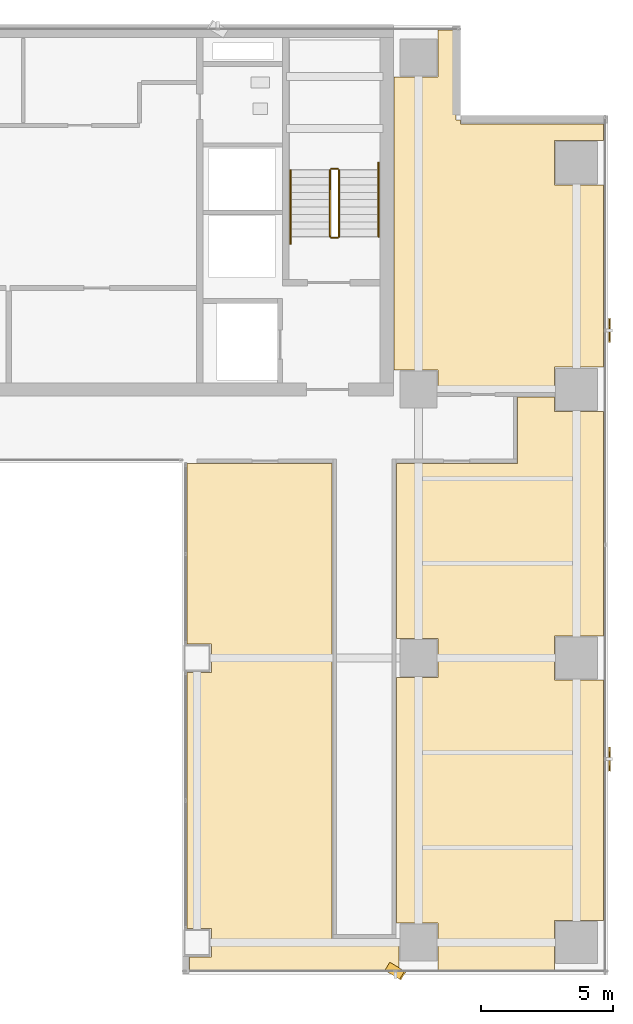
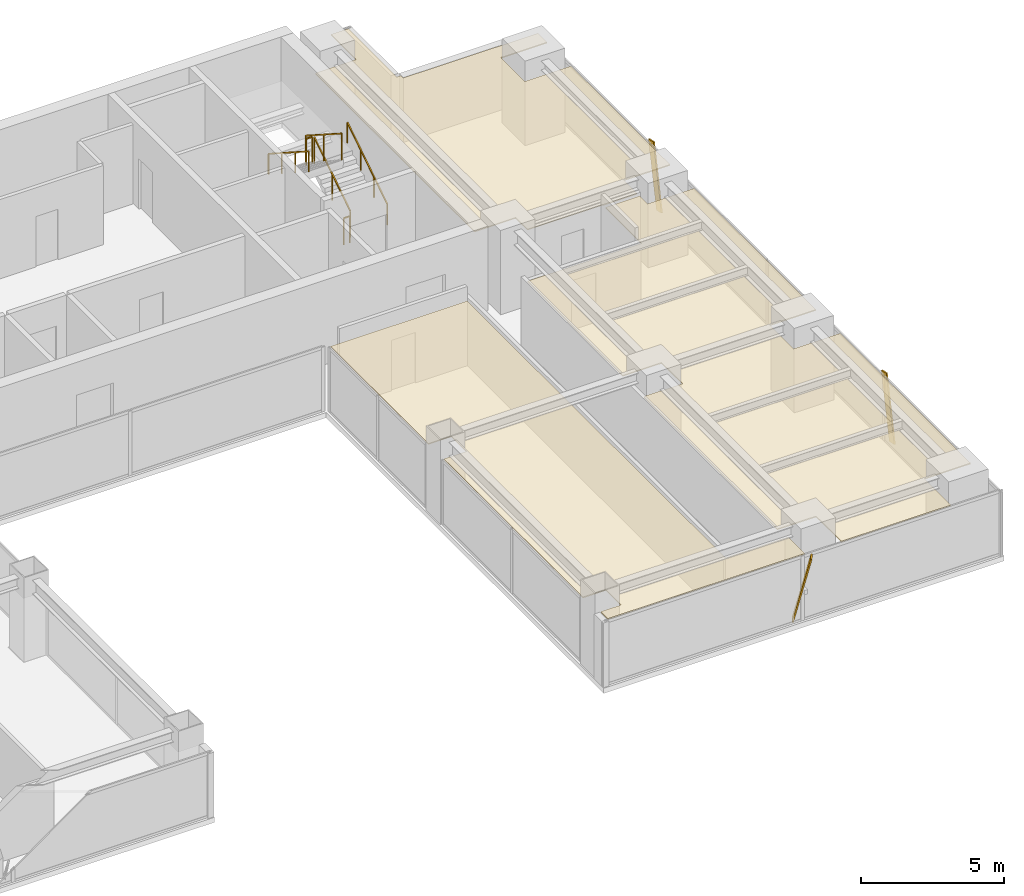
# One storey, part 27 of 29: 6 railings, 3 coverings, 3 shading devices.
"""IFC4 building model written with IfcOpenShell, lengths in metres."""

from ifc_helpers import new_model, si_unit, direction, frame, origin, origin_2d, place, context, subcontext, project, spatial, polyline, rectangle, outline, extrude, source, transform, mapped, material, layer, layer_set, material_profile, profile_set, type_object, element, save


model = new_model("IFC4")

# Units and contexts
model_context = context("Model", 3, precision=1e-05, world=origin(), true_north=direction((0.0, 1.0)))
body_context = subcontext(model_context, "Body", "Model", "MODEL_VIEW")
ifc_project = project(units=[si_unit("LENGTHUNIT", "METRE"), si_unit("AREAUNIT", "SQUARE_METRE"), si_unit("VOLUMEUNIT", "CUBIC_METRE"), si_unit("PLANEANGLEUNIT", "RADIAN"), si_unit("MASSUNIT", "GRAM", prefix="KILO")], contexts=[model_context])

# Site, building, storey
site_placement = place(None, origin())
site = spatial("IfcSite", under=ifc_project, at=site_placement, CompositionType="ELEMENT")
building_placement = place(site_placement, origin())
building = spatial("IfcBuilding", under=site, at=building_placement, Name="Sumidabori Civic Tower", CompositionType="ELEMENT")
storey_placement = place(building_placement, frame((0.0, 0.0, 214.39990234375)))
storey = spatial("IfcBuildingStorey", under=building, at=storey_placement, Name="L55", CompositionType="ELEMENT", Elevation=214.39990234375)

# Coverings
ifc_material_1 = material(Name="Perforated Timber Acoustic Ceiling", Category="wood")
ifc_layer = layer(ifc_material_1, 0.044921875, Name="Perforated Timber Acoustic Ceiling")
ifc_layer_set = layer_set([ifc_layer], Name="Perforated Timber Acoustic Ceiling")
covering_type = type_object("IfcCoveringType", Name="CV-CEIL-AC2", PredefinedType="CEILING", material=ifc_layer_set)
covering_1_placement = place(storey_placement, frame((0.0, 0.0, 2.72998046875)))
element("IfcCovering", 1, at=covering_1_placement, inside=storey, type_object=covering_type, Name="Room Acoustic Ceiling L55-02", PredefinedType="CEILING", context=body_context, shape_type="SweptSolid", body=[
    extrude(outline(polyline([(23.830078125, 20.27197265625), (23.830078125, 19.639892578125), (21.9599609375, 19.639892578125), (21.9599609375, 17.9599609375), (23.830078125, 17.9599609375), (23.830078125, 11.0400390625), (21.9599609375, 11.0400390625), (21.9599609375, 10.094970703125), (20.570068359375, 10.094970703125), (20.570068359375, 10.1201171875), (17.5400390625, 10.1201171875), (17.5400390625, 10.93994140625), (15.8779296875, 10.93994140625), (15.8779296875, 22.06005859375), (17.5400390625, 22.06005859375), (17.5400390625, 23.830078125), (18.22998046875, 23.830078125), (18.22998046875, 20.429931640625), (18.39208984375, 20.429931640625), (18.39208984375, 20.27197265625), (23.830078125, 20.27197265625)])), origin(), (0.0, 0.0, 1.0), 0.045166015625),
])
covering_2_placement = place(storey_placement, frame((0.0, 0.0, 2.72998046875)))
element("IfcCovering", 2, at=covering_2_placement, inside=storey, type_object=covering_type, Name="Room Acoustic Ceiling L55-04", PredefinedType="CEILING", context=body_context, shape_type="SweptSolid", body=[
    extrude(outline(polyline([(17.5400390625, -10.06005859375), (15.969970703125, -10.06005859375), (15.969970703125, -0.739990234375), (17.5400390625, -0.739990234375), (17.5400390625, 0.739990234375), (15.969970703125, 0.739990234375), (15.969970703125, 7.3798828125), (20.570068359375, 7.3798828125), (20.570068359375, 9.905029296875), (21.9599609375, 9.905029296875), (21.9599609375, 9.360107421875), (23.830078125, 9.360107421875), (23.830078125, 0.840087890625), (21.9599609375, 0.840087890625), (21.9599609375, -0.840087890625), (23.830078125, -0.840087890625), (23.830078125, -9.9599609375), (21.9599609375, -9.9599609375), (21.9599609375, -11.830078125), (17.5400390625, -11.830078125), (17.5400390625, -10.06005859375)])), origin(), (0.0, 0.0, 1.0), 0.045166015625),
])
covering_3_placement = place(storey_placement, frame((0.0, 0.0, 2.72998046875)))
element("IfcCovering", 3, at=covering_3_placement, inside=storey, type_object=covering_type, Name="Room Acoustic Ceiling L55-06", PredefinedType="CEILING", context=body_context, shape_type="SweptSolid", body=[
    extrude(outline(polyline([(8.93994140625, -11.340087890625), (8.93994140625, -10.260009765625), (8.02001953125, -10.260009765625), (8.02001953125, -0.5400390625), (8.93994140625, -0.5400390625), (8.93994140625, 0.5400390625), (8.02001953125, 0.5400390625), (8.02001953125, 7.3798828125), (13.530029296875, 7.3798828125), (13.530029296875, -10.669921875), (16.06005859375, -10.669921875), (16.06005859375, -11.830078125), (8.117919921875, -11.830078125), (8.117919921875, -11.340087890625), (8.93994140625, -11.340087890625)])), origin(), (0.0, 0.0, 1.0), 0.045166015625),
])

# Railings
ifc_material_2 = material(Name="Stainless Steel Hairline Finish", Category="steel")
railing_type_1 = type_object("IfcRailingType", Name="RL-HANDRAIL", PredefinedType="HANDRAIL", material=ifc_material_2)
railing_1_placement = place(storey_placement, frame((15.2900390625, 16.0, 0.18017578125)))
element("IfcRailing", 4, at=railing_1_placement, inside=storey, type_object=railing_type_1, Name="L55 ST-2 stair handrail 1", PredefinedType="HANDRAIL", context=body_context, shape_type="SweptSolid", body=[
    extrude(rectangle(XDim=0.048095703125, YDim=0.048095703125, at=origin_2d()), frame((0.0, 0.0, 0.8759765625), z_axis=(0.0, 0.840675598268, 0.541539046124), x_axis=(-1.0, 0.0, 0.0)), (0.0, 0.0, 1.0), 3.330810546875),
    extrude(rectangle(XDim=0.0419921875, YDim=0.0419921875, at=origin_2d()), origin(), (0.0, 0.0, 1.0), 0.851806640625),
    extrude(rectangle(XDim=0.0419921875, YDim=0.0419921875, at=origin_2d()), frame((0.0, 0.933349609375, 0.601318359375)), (0.0, 0.0, 1.0), 0.851806640625),
    extrude(rectangle(XDim=0.0419921875, YDim=0.0419921875, at=origin_2d()), frame((0.0, 1.86669921875, 1.202392578125)), (0.0, 0.0, 1.0), 0.851806640625),
    extrude(rectangle(XDim=0.0419921875, YDim=0.0419921875, at=origin_2d()), frame((0.0, 2.800048828125, 1.8037109375)), (0.0, 0.0, 1.0), 0.851806640625),
])
railing_2_placement = place(storey_placement, frame((11.949951171875, 18.52001953125, 1.97998046875)))
element("IfcRailing", 5, at=railing_2_placement, inside=storey, type_object=railing_type_1, Name="L55 ST-2 stair handrail 2", PredefinedType="HANDRAIL", context=body_context, shape_type="SweptSolid", body=[
    extrude(rectangle(XDim=0.048095703125, YDim=0.048095703125, at=origin_2d()), frame((0.0, 0.0, 0.8759765625), z_axis=(0.0, -0.84064222762, 0.54159084662), x_axis=(1.0, 0.0, 0.0)), (0.0, 0.0, 1.0), 3.330810546875),
    extrude(rectangle(XDim=0.0419921875, YDim=0.0419921875, at=origin_2d()), origin(), (0.0, 0.0, 1.0), 0.851806640625),
    extrude(rectangle(XDim=0.0419921875, YDim=0.0419921875, at=origin_2d()), frame((0.0, -0.933349609375, 0.601318359375)), (0.0, 0.0, 1.0), 0.851806640625),
    extrude(rectangle(XDim=0.0419921875, YDim=0.0419921875, at=origin_2d()), frame((0.0, -1.86669921875, 1.20263671875)), (0.0, 0.0, 1.0), 0.851806640625),
    extrude(rectangle(XDim=0.0419921875, YDim=0.0419921875, at=origin_2d()), frame((0.0, -2.800048828125, 1.803955078125)), (0.0, 0.0, 1.0), 0.851806640625),
])
ifc_material_3 = material(Name="Steel SN490", Category="steel")
railing_type_2 = type_object("IfcRailingType", Name="RL-STAIR-GUARD", PredefinedType="GUARDRAIL", material=ifc_material_3)
railing_3_placement = place(storey_placement, frame((13.7900390625, 16.0, 0.18017578125)))
element("IfcRailing", 6, at=railing_3_placement, inside=storey, type_object=railing_type_2, Name="L55 ST-2 stair guard 1", PredefinedType="GUARDRAIL", context=body_context, shape_type="SweptSolid", body=[
    extrude(rectangle(XDim=0.048095703125, YDim=0.048095703125, at=origin_2d()), frame((0.0, 0.0, 1.1259765625), z_axis=(0.0, 0.841199657755, 0.540724639528), x_axis=(-1.0, 0.0, 0.0)), (0.0, 0.0, 1.0), 2.995849609375),
    extrude(rectangle(XDim=0.0419921875, YDim=0.0419921875, at=origin_2d()), origin(), (0.0, 0.0, 1.0), 1.101806640625),
    extrude(rectangle(XDim=0.0419921875, YDim=0.0419921875, at=origin_2d()), frame((0.0, 1.260009765625, 0.81005859375)), (0.0, 0.0, 1.0), 1.101806640625),
    extrude(rectangle(XDim=0.0419921875, YDim=0.0419921875, at=origin_2d()), frame((0.0, 2.52001953125, 1.619873046875)), (0.0, 0.0, 1.0), 1.101806640625),
])
railing_4_placement = place(storey_placement, frame((13.739990234375, 18.570068359375, 1.800048828125)))
element("IfcRailing", 7, at=railing_4_placement, inside=storey, type_object=railing_type_2, Name="L55 ST-2 stair guard 2", PredefinedType="GUARDRAIL", context=body_context, shape_type="SweptSolid", body=[
    extrude(rectangle(XDim=0.048095703125, YDim=0.048095703125, at=origin_2d()), frame((0.0, 0.0, 1.1259765625), z_axis=(-1.0, 0.0, 0.0), x_axis=(0.0, -1.0, 0.0)), (0.0, 0.0, 1.0), 0.239990234375),
    extrude(rectangle(XDim=0.0419921875, YDim=0.0419921875, at=origin_2d()), origin(), (0.0, 0.0, 1.0), 1.101806640625),
    extrude(rectangle(XDim=0.0419921875, YDim=0.0419921875, at=origin_2d()), frame((-0.239990234375, 0.0, 0.0)), (0.0, 0.0, 1.0), 1.101806640625),
])
railing_5_placement = place(storey_placement, frame((13.449951171875, 18.52001953125, 1.97998046875)))
element("IfcRailing", 8, at=railing_5_placement, inside=storey, type_object=railing_type_2, Name="L55 ST-2 stair guard 3", PredefinedType="GUARDRAIL", context=body_context, shape_type="SweptSolid", body=[
    extrude(rectangle(XDim=0.048095703125, YDim=0.048095703125, at=origin_2d()), frame((0.0, 0.0, 1.1259765625), z_axis=(0.0, -0.841162588446, 0.540782303519), x_axis=(1.0, 0.0, 0.0)), (0.0, 0.0, 1.0), 2.995849609375),
    extrude(rectangle(XDim=0.0419921875, YDim=0.0419921875, at=origin_2d()), origin(), (0.0, 0.0, 1.0), 1.101806640625),
    extrude(rectangle(XDim=0.0419921875, YDim=0.0419921875, at=origin_2d()), frame((0.0, -1.260009765625, 0.81005859375)), (0.0, 0.0, 1.0), 1.101806640625),
    extrude(rectangle(XDim=0.0419921875, YDim=0.0419921875, at=origin_2d()), frame((0.0, -2.52001953125, 1.6201171875)), (0.0, 0.0, 1.0), 1.101806640625),
])
railing_6_placement = place(storey_placement, frame((13.739990234375, 15.949951171875, 0.0)))
element("IfcRailing", 9, at=railing_6_placement, inside=storey, type_object=railing_type_2, Name="L55 ST-2 stair guard 4", PredefinedType="GUARDRAIL", context=body_context, shape_type="SweptSolid", body=[
    extrude(rectangle(XDim=0.048095703125, YDim=0.048095703125, at=origin_2d()), frame((0.0, 0.0, 1.1259765625), z_axis=(-1.0, 0.0, 0.0), x_axis=(0.0, -1.0, 0.0)), (0.0, 0.0, 1.0), 0.239990234375),
    extrude(rectangle(XDim=0.0419921875, YDim=0.0419921875, at=origin_2d()), origin(), (0.0, 0.0, 1.0), 1.101806640625),
    extrude(rectangle(XDim=0.0419921875, YDim=0.0419921875, at=origin_2d()), frame((-0.239990234375, 0.0, 0.0)), (0.0, 0.0, 1.0), 1.101806640625),
])

# Shading devices
ifc_material_4 = material(Name="Anodised Bronze Aluminium AW-6063-T6", Category="aluminium")
ifc_material_profile = material_profile(ifc_material_4, rectangle(XDim=0.054931640625, YDim=0.360107421875, at=origin_2d()), Name="BRONZE FIN 360x55")
ifc_profile_set = profile_set([ifc_material_profile], Name="Anodised Bronze Aluminium AW-6063-T6")
shading_device_type = type_object("IfcShadingDeviceType", Name="SH-FIN-360", PredefinedType="USERDEFINED", material=ifc_profile_set)
shared_shape_1 = source(origin(), body_context, "Body", "SweptSolid", [
    extrude(rectangle(XDim=0.054931640625, YDim=0.360107421875, at=origin_2d()), origin(), (0.0, 0.0, 1.0), 2.757568359375),
])
for number, where, z_axis, x_axis, name in (
    (10, (24.050048828125, -4.114990234375, 0.02001953125), (0.0, 0.203091544008, 0.979159754459), (-1.0, 0.0, 0.0), "Bronze Anodised Diagonal Fin L55-01"),
    (11, (24.050048828125, 12.155029296875, 0.02001953125), (0.0, 0.203091544008, 0.979159754459), (-1.0, 0.0, 0.0), "Bronze Anodised Diagonal Fin L55-03"),
):
    element("IfcShadingDevice", number, at=place(storey_placement, frame(where, z_axis=z_axis, x_axis=x_axis)), inside=storey, type_object=shading_device_type, Name=name, ObjectType="FIN", PredefinedType="USERDEFINED", context=body_context, shape_type="MappedRepresentation", body=[
        mapped(shared_shape_1, transform((0.0, 0.0, 0.0), x_axis=(1.0, 0.0, 0.0), y_axis=(0.0, 1.0, 0.0), z_axis=(0.0, 0.0, 1.0), scale=1.0)),
    ])
shared_shape_2 = source(origin(), body_context, "Body", "SweptSolid", [
    extrude(rectangle(XDim=0.054931640625, YDim=0.360107421875, at=origin_2d()), origin(), (0.0, 0.0, 1.0), 2.778564453125),
])
shading_device_placement = place(storey_placement, frame((15.64501953125, -11.7099609375, 0.02001953125), z_axis=(0.201564536174, -0.122397296814, 0.971797632992), x_axis=(0.830646061104, -0.504398414611, -0.235816370319)))
element("IfcShadingDevice", 12, at=shading_device_placement, inside=storey, type_object=shading_device_type, Name="Bronze Anodised Diagonal Fin L55-01", ObjectType="FIN", PredefinedType="USERDEFINED", context=body_context, shape_type="MappedRepresentation", body=[
    mapped(shared_shape_2, transform((0.0, 0.0, 0.0), x_axis=(1.0, 0.0, 0.0), y_axis=(0.0, 1.0, 0.0), z_axis=(0.0, 0.0, 1.0), scale=1.0)),
])

save(model, "model.ifc")
